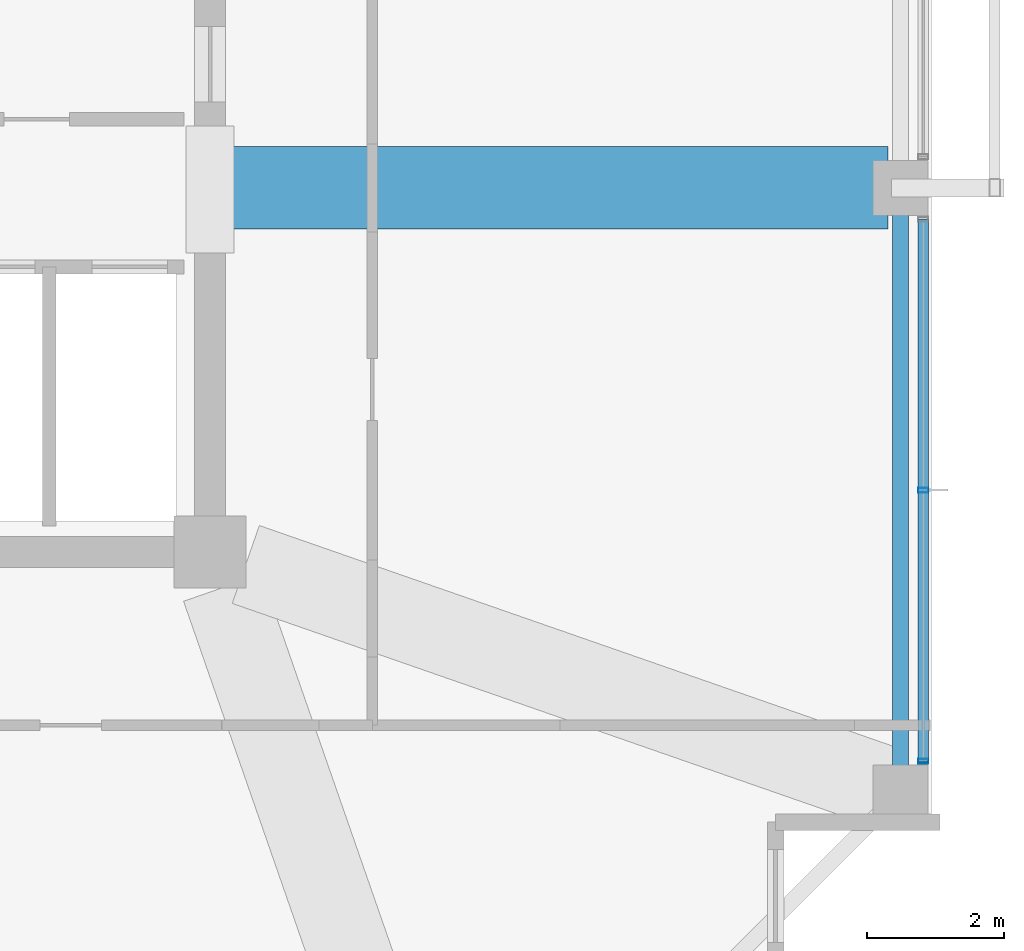
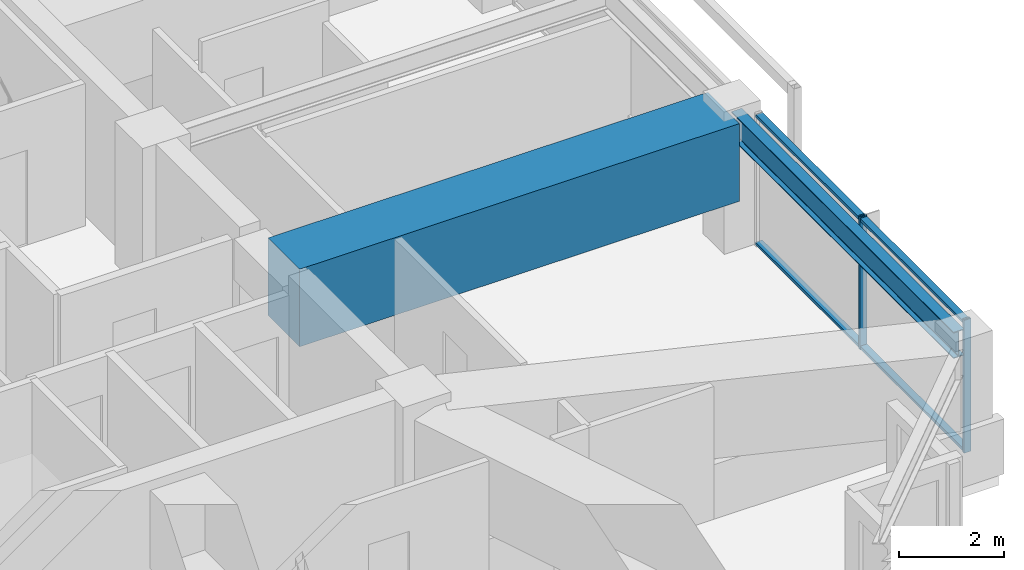
# One storey, part 13 of 37: 4 members, 2 beams, 1 element without a shape of its own.
"""IFC4 building model written with IfcOpenShell, lengths in metres."""

from ifc_helpers import new_model, si_unit, direction, frame, origin, origin_2d, place, context, subcontext, project, spatial, rectangle, hollow_rectangle, i_section, extrude, material, material_profile, profile_set, type_object, element, aggregate, save


model = new_model("IFC4")

# Units and contexts
model_context = context("Model", 3, precision=1e-05, world=origin(), true_north=direction((0.0, 1.0)))
body_context = subcontext(model_context, "Body", "Model", "MODEL_VIEW")
ifc_project = project(units=[si_unit("LENGTHUNIT", "METRE"), si_unit("AREAUNIT", "SQUARE_METRE"), si_unit("VOLUMEUNIT", "CUBIC_METRE"), si_unit("PLANEANGLEUNIT", "RADIAN"), si_unit("MASSUNIT", "GRAM", prefix="KILO")], contexts=[model_context])

# Site, building, storey
site_placement = place(None, origin())
site = spatial("IfcSite", under=ifc_project, at=site_placement, CompositionType="ELEMENT")
building_placement = place(site_placement, origin())
building = spatial("IfcBuilding", under=site, at=building_placement, Name="Kolvaren Belvedere", CompositionType="ELEMENT")
storey_placement = place(building_placement, frame((0.0, 0.0, 219.60009765625)))
storey = spatial("IfcBuildingStorey", under=building, at=storey_placement, Name="L64", CompositionType="ELEMENT", Elevation=219.60009765625)

# Beams
ifc_material_1 = material(Name="Structural steel ASTM A992 Grade 50", Category="steel")
ifc_material_profile_1 = material_profile(ifc_material_1, i_section(OverallWidth=0.22900390625, OverallDepth=0.612060546875, WebThickness=0.011962890625, FlangeThickness=0.01953125, FilletRadius=0.01806640625, at=origin_2d()), Name="W24X84")
ifc_profile_set_1 = profile_set([ifc_material_profile_1], Name="Structural steel ASTM A992 Grade 50")
beam_type_1 = type_object("IfcBeamType", Name="BM-SPAN-W24X84", PredefinedType="SPANDREL", material=ifc_profile_set_1)
beam_1_placement = place(storey_placement, frame((19.949951171875, -13.219970703125, 2.77392578125), z_axis=(0.0, 1.0, 0.0), x_axis=(-1.0, 0.0, 0.0)))
element("IfcBeam", 1, at=beam_1_placement, inside=storey, type_object=beam_type_1, Name="L64 Perimeter Spandrel E1-E2", PredefinedType="SPANDREL", context=body_context, shape_type="SweptSolid", body=[
    extrude(i_section(OverallWidth=0.22900390625, OverallDepth=0.612060546875, WebThickness=0.011962890625, FlangeThickness=0.01953125, FilletRadius=0.01806640625, at=origin_2d()), origin(), (0.0, 0.0, 1.0), 8.43994140625),
])
ifc_material_2 = material(Name="Concrete C50/60", Category="concrete")
ifc_material_profile_2 = material_profile(ifc_material_2, rectangle(XDim=1.199951171875, YDim=1.800048828125, at=origin_2d()), Name="RC 1200X1800")
ifc_profile_set_2 = profile_set([ifc_material_profile_2], Name="Concrete C50/60")
beam_type_2 = type_object("IfcBeamType", Name="BM-TG-1800", PredefinedType="BEAM", material=ifc_profile_set_2)
beam_2_placement = place(storey_placement, frame((10.125, -4.60009765625, 2.179931640625), z_axis=(1.0, 0.0, 0.0), x_axis=(0.0, 1.0, 0.0)))
element("IfcBeam", 2, at=beam_2_placement, inside=storey, type_object=beam_type_2, Name="L64 East Radial Girder M", PredefinedType="BEAM", context=body_context, shape_type="SweptSolid", body=[
    extrude(rectangle(XDim=1.199951171875, YDim=1.800048828125, at=origin_2d()), origin(), (0.0, 0.0, 1.0), 9.64501953125),
])

# Curtain wall, members
ifc_material_3 = material(Name="Anodised pale-metal aluminium AA 6063-T6", Category="aluminium")
curtain_wall_type = type_object("IfcCurtainWallType", Name="CW-Z5-HIGH", PredefinedType="NOTDEFINED", material=ifc_material_3)
curtain_wall_placement = place(storey_placement, origin())
curtain_wall = element("IfcCurtainWall", 3, at=curtain_wall_placement, inside=storey, type_object=curtain_wall_type, Name="L64 Unitised Curtain Wall FCW-L64-E-B3", PredefinedType="NOTDEFINED")
ifc_material_4 = material(Name="Anodised pale-metal aluminium AA 6063-T6", Category="aluminium")
ifc_material_profile_3 = material_profile(ifc_material_4, hollow_rectangle(XDim=0.070068359375, YDim=0.14990234375, WallThickness=0.004150390625, at=origin_2d()), Name="ALU-MUL-150X70")
ifc_profile_set_3 = profile_set([ifc_material_profile_3], Name="Anodised pale-metal aluminium AA 6063-T6")
member_type_1 = type_object("IfcMemberType", Name="CW-MUL-150", PredefinedType="MULLION", material=ifc_profile_set_3)
member_1_placement = place(storey_placement, frame((20.280029296875, -9.0, 0.0), z_axis=(0.0, 0.0, 1.0), x_axis=(0.0, 1.0, 0.0)))
member_1 = element("IfcMember", 4, at=member_1_placement, type_object=member_type_1, Name="FCW-L64-E-B3 Unitised Mullion 2", PredefinedType="MULLION", context=body_context, shape_type="SweptSolid", body=[
    extrude(hollow_rectangle(XDim=0.070068359375, YDim=0.14990234375, WallThickness=0.004150390625, at=origin_2d()), origin(), (0.0, 0.0, 1.0), 3.079833984375),
])
member_2_placement = place(storey_placement, frame((20.280029296875, -12.945068359375, 0.0), z_axis=(0.0, 0.0, 1.0), x_axis=(0.0, 1.0, 0.0)))
member_2 = element("IfcMember", 5, at=member_2_placement, type_object=member_type_1, Name="FCW-L64-E-B3 Unitised Mullion 3", PredefinedType="MULLION", context=body_context, shape_type="SweptSolid", body=[
    extrude(hollow_rectangle(XDim=0.070068359375, YDim=0.14990234375, WallThickness=0.004150390625, at=origin_2d()), origin(), (0.0, 0.0, 1.0), 3.079833984375),
])
ifc_material_5 = material(Name="Anodised pale-metal aluminium AA 6063-T6", Category="aluminium")
ifc_material_profile_4 = material_profile(ifc_material_5, hollow_rectangle(XDim=0.06494140625, YDim=0.14990234375, WallThickness=0.00390625, at=origin_2d()), Name="ALU-TRN-150X65")
ifc_profile_set_4 = profile_set([ifc_material_profile_4], Name="Anodised pale-metal aluminium AA 6063-T6")
member_type_2 = type_object("IfcMemberType", Name="CW-TRN-150", PredefinedType="USERDEFINED", material=ifc_profile_set_4)
member_3_placement = place(storey_placement, frame((20.280029296875, -5.054931640625, 0.059814453125), z_axis=(0.0, -1.0, 0.0), x_axis=(0.0, 0.0, 1.0)))
member_3 = element("IfcMember", 6, at=member_3_placement, type_object=member_type_2, Name="FCW-L64-E-B3 Sill Transom", ObjectType="TRANSOM", PredefinedType="USERDEFINED", context=body_context, shape_type="SweptSolid", body=[
    extrude(hollow_rectangle(XDim=0.06494140625, YDim=0.14990234375, WallThickness=0.00390625, at=origin_2d()), origin(), (0.0, 0.0, 1.0), 7.89013671875),
])
member_4_placement = place(storey_placement, frame((20.280029296875, -5.054931640625, 3.02001953125), z_axis=(0.0, -1.0, 0.0), x_axis=(0.0, 0.0, 1.0)))
member_4 = element("IfcMember", 7, at=member_4_placement, type_object=member_type_2, Name="FCW-L64-E-B3 Head Transom", ObjectType="TRANSOM", PredefinedType="USERDEFINED", context=body_context, shape_type="SweptSolid", body=[
    extrude(hollow_rectangle(XDim=0.06494140625, YDim=0.14990234375, WallThickness=0.00390625, at=origin_2d()), origin(), (0.0, 0.0, 1.0), 7.89013671875),
])
aggregate(curtain_wall, [member_1, member_2, member_3, member_4])

save(model, "model.ifc")
